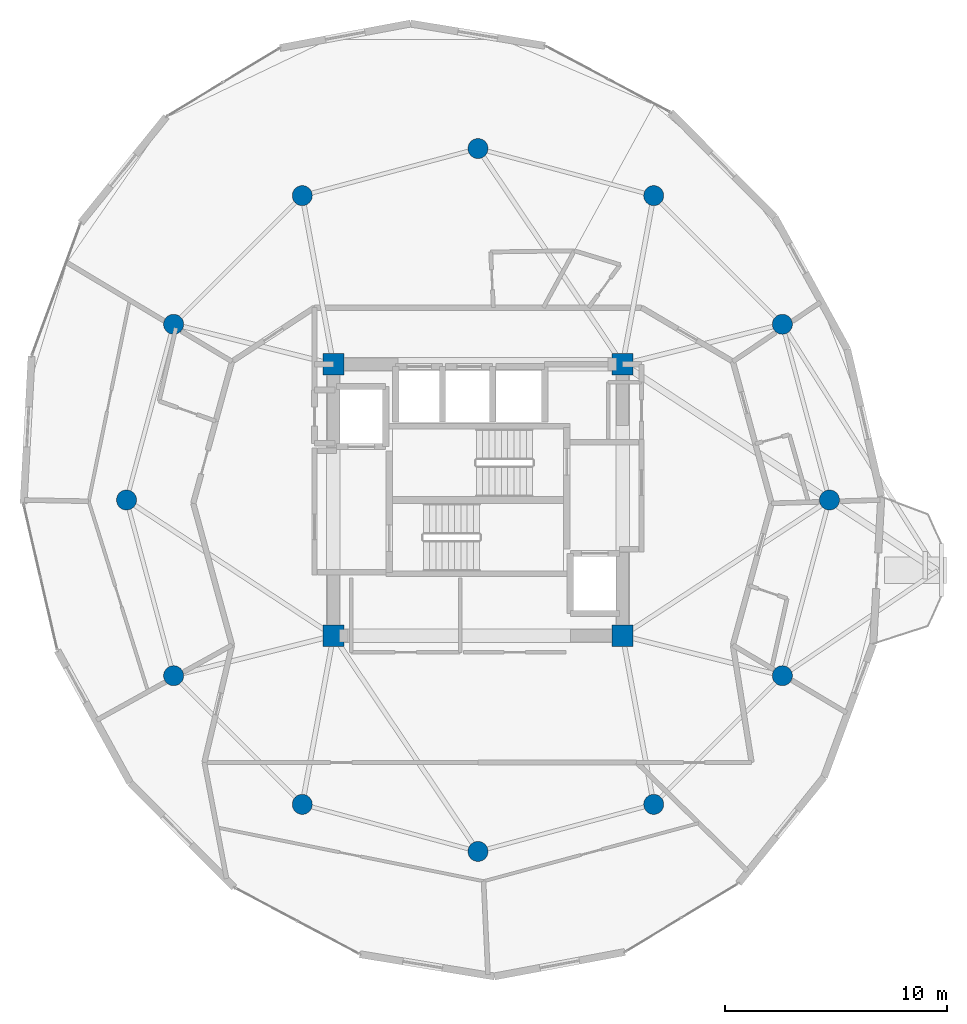
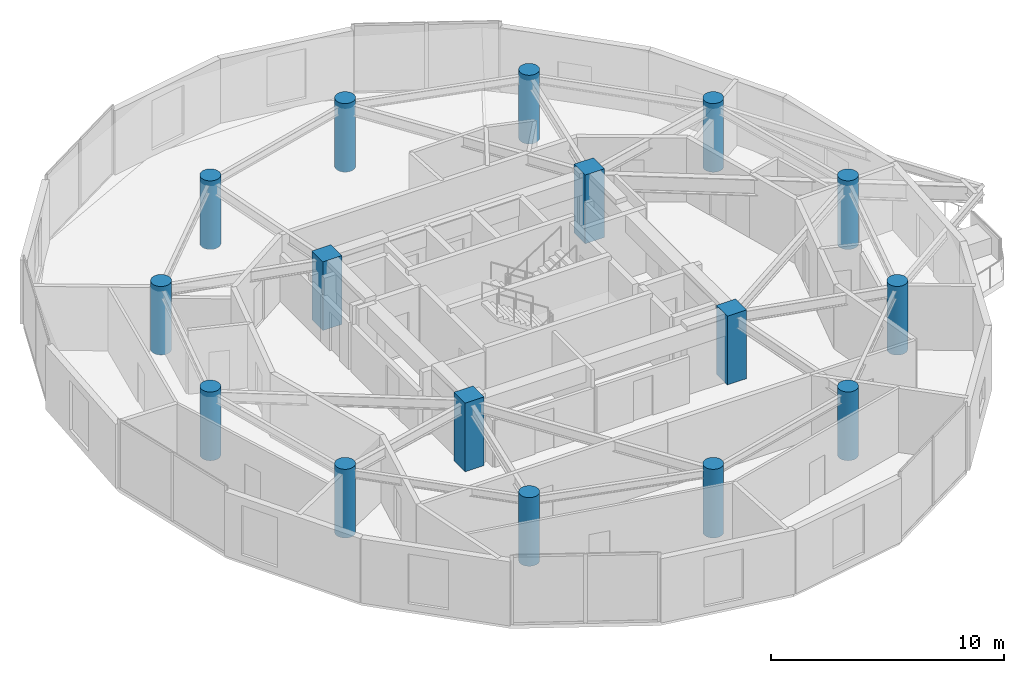
# One storey, part 1 of 21: 16 columns.
"""IFC4 building model written with IfcOpenShell, lengths in metres."""

from ifc_helpers import new_model, si_unit, direction, frame, origin, origin_2d, place, context, subcontext, project, spatial, rectangle, circle, extrude, material, material_profile, profile_set, type_object, element, save


model = new_model("IFC4")

# Units and contexts
model_context = context("Model", 3, precision=1e-05, world=origin(), true_north=direction((0.0, 1.0)))
body_context = subcontext(model_context, "Body", "Model", "MODEL_VIEW")
ifc_project = project(units=[si_unit("LENGTHUNIT", "METRE"), si_unit("AREAUNIT", "SQUARE_METRE"), si_unit("VOLUMEUNIT", "CUBIC_METRE"), si_unit("PLANEANGLEUNIT", "RADIAN"), si_unit("MASSUNIT", "GRAM", prefix="KILO")], contexts=[model_context])

# Site, building, storey
site_placement = place(None, origin())
site = spatial("IfcSite", under=ifc_project, at=site_placement, CompositionType="ELEMENT")
building_placement = place(site_placement, origin())
building = spatial("IfcBuilding", under=site, at=building_placement, Name="Solvirekh Grand Hotel", CompositionType="ELEMENT")
storey_placement = place(building_placement, frame((0.0, 0.0, 216.39990234375)))
storey = spatial("IfcBuildingStorey", under=building, at=storey_placement, Name="L56", CompositionType="ELEMENT", Elevation=216.39990234375)

# Columns
ifc_material = material(Name="Concrete C50/60", Category="concrete")
ifc_material_profile_1 = material_profile(ifc_material, rectangle(XDim=0.949951171875, YDim=0.949951171875, at=origin_2d()), Name="RC 950X950")
ifc_profile_set_1 = profile_set([ifc_material_profile_1], Name="Concrete C50/60")
column_type_1 = type_object("IfcColumnType", Name="Col_Core_950", PredefinedType="COLUMN", material=ifc_profile_set_1)
for number, where, z_axis, x_axis, name in (
    (1, (-6.5, -6.10009765625, 0.0), (0.0, 0.0, 1.0), (1.0, 0.0, 0.0), "L56 core corner column CC1"),
    (2, (6.5, -6.10009765625, 0.0), (0.0, 0.0, 1.0), (1.0, 0.0, 0.0), "L56 core corner column CC2"),
    (3, (6.5, 6.10009765625, 0.0), (0.0, 0.0, 1.0), (1.0, 0.0, 0.0), "L56 core corner column CC3"),
    (4, (-6.5, 6.10009765625, 0.0), (0.0, 0.0, 1.0), (1.0, 0.0, 0.0), "L56 core corner column CC4"),
):
    element("IfcColumn", number, at=place(storey_placement, frame(where, z_axis=z_axis, x_axis=x_axis)), inside=storey, type_object=column_type_1, Name=name, PredefinedType="COLUMN", context=body_context, shape_type="SweptSolid", body=[
        extrude(rectangle(XDim=0.949951171875, YDim=0.949951171875, at=origin_2d()), origin(), (0.0, 0.0, 1.0), 3.60009765625),
    ])
ifc_material_profile_2 = material_profile(ifc_material, circle(Radius=0.449951171875, at=origin_2d()), Name="RC CIRC D900")
ifc_profile_set_2 = profile_set([ifc_material_profile_2], Name="Concrete C50/60")
column_type_2 = type_object("IfcColumnType", Name="Col_Z3_D900", PredefinedType="COLUMN", material=ifc_profile_set_2)
for number, where, z_axis, x_axis, name in (
    (5, (15.800048828125, 0.0, 0.0), (0.0, 0.0, 1.0), (1.0, 0.0, 0.0), "L56 perimeter column P01"),
    (6, (13.68310546875, 7.89990234375, 0.0), (0.0, 0.0, 1.0), (1.0, 0.0, 0.0), "L56 perimeter column P02"),
    (7, (7.89990234375, 13.68310546875, 0.0), (0.0, 0.0, 1.0), (1.0, 0.0, 0.0), "L56 perimeter column P03"),
    (8, (0.0, 15.800048828125, 0.0), (0.0, 0.0, 1.0), (1.0, 0.0, 0.0), "L56 perimeter column P04"),
    (9, (-7.89990234375, 13.68310546875, 0.0), (0.0, 0.0, 1.0), (1.0, 0.0, 0.0), "L56 perimeter column P05"),
    (10, (-13.68310546875, 7.89990234375, 0.0), (0.0, 0.0, 1.0), (1.0, 0.0, 0.0), "L56 perimeter column P06"),
    (11, (-15.800048828125, 0.0, 0.0), (0.0, 0.0, 1.0), (1.0, 0.0, 0.0), "L56 perimeter column P07"),
    (12, (-13.68310546875, -7.89990234375, 0.0), (0.0, 0.0, 1.0), (1.0, 0.0, 0.0), "L56 perimeter column P08"),
    (13, (-7.89990234375, -13.68310546875, 0.0), (0.0, 0.0, 1.0), (1.0, 0.0, 0.0), "L56 perimeter column P09"),
    (14, (0.0, -15.800048828125, 0.0), (0.0, 0.0, 1.0), (1.0, 0.0, 0.0), "L56 perimeter column P10"),
    (15, (7.89990234375, -13.68310546875, 0.0), (0.0, 0.0, 1.0), (1.0, 0.0, 0.0), "L56 perimeter column P11"),
    (16, (13.68310546875, -7.89990234375, 0.0), (0.0, 0.0, 1.0), (1.0, 0.0, 0.0), "L56 perimeter column P12"),
):
    element("IfcColumn", number, at=place(storey_placement, frame(where, z_axis=z_axis, x_axis=x_axis)), inside=storey, type_object=column_type_2, Name=name, PredefinedType="COLUMN", context=body_context, shape_type="SweptSolid", body=[
        extrude(circle(Radius=0.449951171875, at=origin_2d()), origin(), (0.0, 0.0, 1.0), 3.60009765625),
    ])

save(model, "model.ifc")
